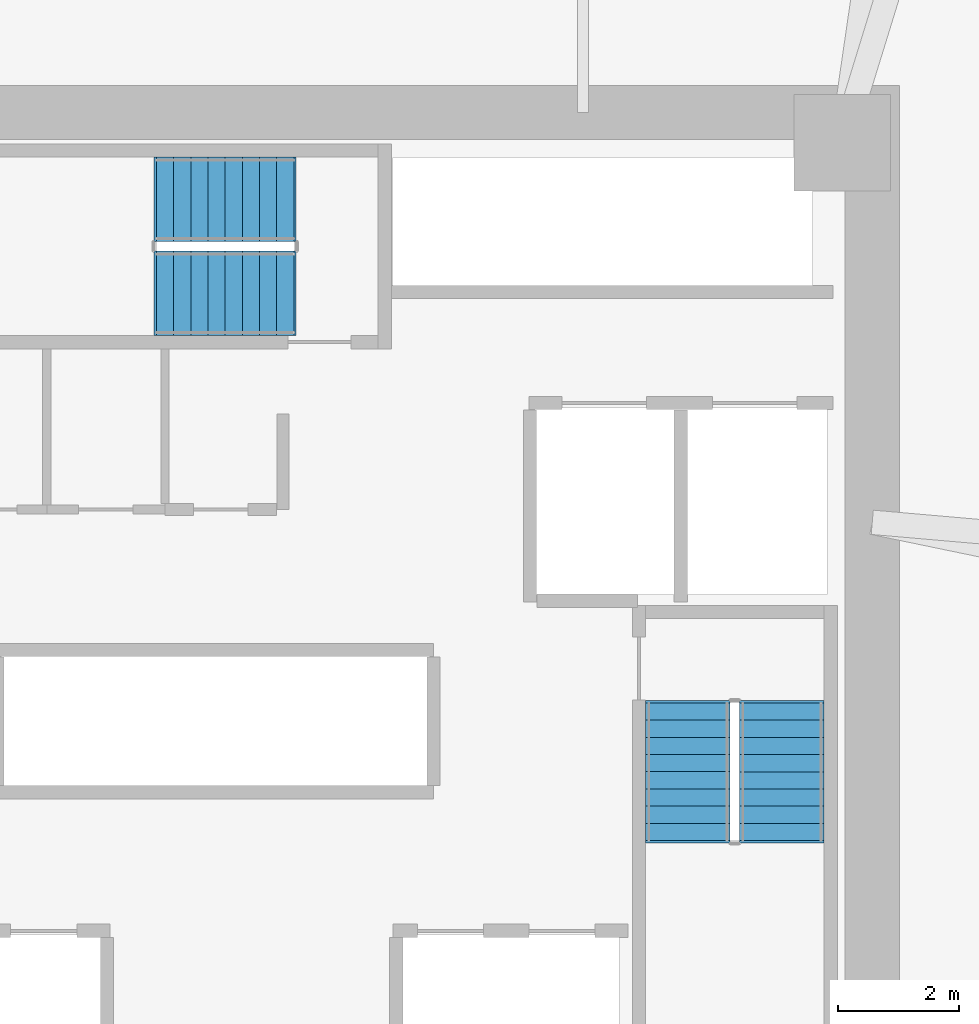
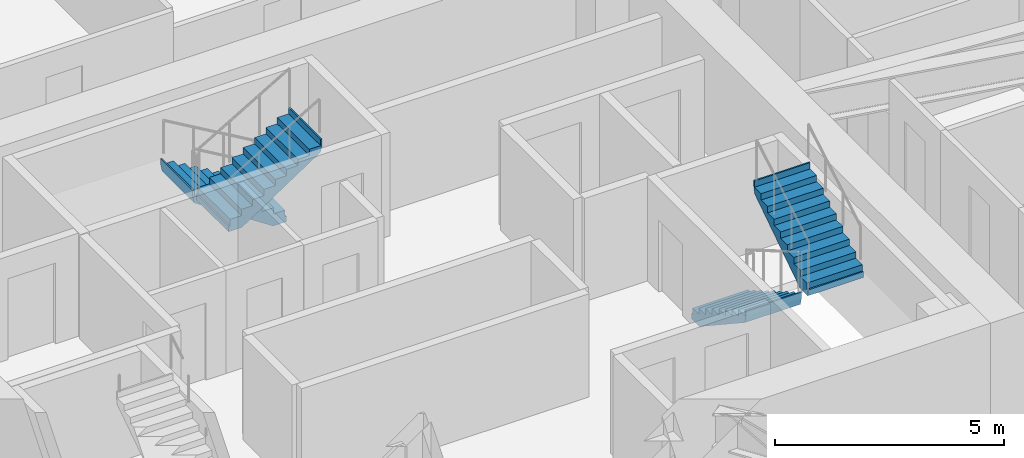
# One storey, part 17 of 18: 4 stair flights, 2 elements without a shape of their own.
"""IFC4 building model written with IfcOpenShell, lengths in metres."""

from ifc_helpers import new_model, si_unit, direction, frame, origin, place, context, subcontext, project, spatial, polyline, outline, extrude, material, type_object, element, aggregate, save


model = new_model("IFC4")

# Units and contexts
model_context = context("Model", 3, precision=1e-05, world=origin(), true_north=direction((0.0, 1.0)))
body_context = subcontext(model_context, "Body", "Model", "MODEL_VIEW")
ifc_project = project(units=[si_unit("LENGTHUNIT", "METRE"), si_unit("AREAUNIT", "SQUARE_METRE"), si_unit("VOLUMEUNIT", "CUBIC_METRE"), si_unit("PLANEANGLEUNIT", "RADIAN"), si_unit("MASSUNIT", "GRAM", prefix="KILO")], contexts=[model_context])

# Site, building, storey
site_placement = place(None, origin())
site = spatial("IfcSite", under=ifc_project, at=site_placement, CompositionType="ELEMENT")
building_placement = place(site_placement, origin())
building = spatial("IfcBuilding", under=site, at=building_placement, Name="Durnholm Broadcast Tower", CompositionType="ELEMENT")
storey_placement = place(building_placement, frame((0.0, 0.0, 78.300048828125)))
storey = spatial("IfcBuildingStorey", under=building, at=storey_placement, Name="L20", CompositionType="ELEMENT", Elevation=78.300048828125)

# Stair, stair flights
ifc_material = material(Name="Concrete C50/60", Category="concrete")
stair_type = type_object("IfcStairType", Name="STAIR-DL-18R1667", PredefinedType="HALF_TURN_STAIR", material=ifc_material)
stair_1_placement = place(storey_placement, origin())
stair_1 = element("IfcStair", 1, at=stair_1_placement, inside=storey, type_object=stair_type, Name="L20 ST-2", PredefinedType="HALF_TURN_STAIR")
stair_flight_type = type_object("IfcStairFlightType", Name="FLIGHT-DL-18R1667", PredefinedType="STRAIGHT", material=ifc_material)
stair_flight_1_placement = place(storey_placement, frame((7.239990234375, -1.5, 0.0), z_axis=(0.0, 0.0, 1.0), x_axis=(0.0, -1.0, 0.0)))
stair_flight_1 = element("IfcStairFlight", 2, at=stair_flight_1_placement, type_object=stair_flight_type, Name="ST-2 flight 1", NumberOfRisers=9, NumberOfTreads=8, PredefinedType="STRAIGHT", RiserHeight=0.166666667, TreadLength=0.285, context=body_context, shape_type="SweptSolid", body=[
    extrude(outline(polyline([(-0.0400390625, -0.14990234375), (-0.0400390625, 0.0), (0.0, 0.0), (0.0, 0.166748046875), (0.284912109375, 0.166748046875), (0.284912109375, 0.333251953125), (0.570068359375, 0.333251953125), (0.570068359375, 0.5), (0.85498046875, 0.5), (0.85498046875, 0.666748046875), (1.139892578125, 0.666748046875), (1.139892578125, 0.833251953125), (1.425048828125, 0.833251953125), (1.425048828125, 1.0), (1.7099609375, 1.0), (1.7099609375, 1.166748046875), (1.9951171875, 1.166748046875), (1.9951171875, 1.333251953125), (2.280029296875, 1.333251953125), (2.280029296875, 1.5), (2.320068359375, 1.5), (2.320068359375, 1.35009765625), (2.280029296875, 1.15966796875), (0.296875, -0.14990234375), (-0.0400390625, -0.14990234375)])), frame((0.0, 0.699951171875, 0.0), z_axis=(0.0, -1.0, 0.0), x_axis=(1.0, 0.0, 0.0)), (0.0, 0.0, 1.0), 1.39990234375),
])
stair_flight_2_placement = place(storey_placement, frame((8.800048828125, -3.780029296875, 1.5), z_axis=(0.0, 0.0, 1.0), x_axis=(0.0, 1.0, 0.0)))
stair_flight_2 = element("IfcStairFlight", 3, at=stair_flight_2_placement, type_object=stair_flight_type, Name="ST-2 flight 2", NumberOfRisers=9, NumberOfTreads=8, PredefinedType="STRAIGHT", RiserHeight=0.166666667, TreadLength=0.285, context=body_context, shape_type="SweptSolid", body=[
    extrude(outline(polyline([(-0.0400390625, -0.14990234375), (-0.0400390625, 0.0), (0.0, 0.0), (0.0, 0.166748046875), (0.284912109375, 0.166748046875), (0.284912109375, 0.333251953125), (0.570068359375, 0.333251953125), (0.570068359375, 0.5), (0.85498046875, 0.5), (0.85498046875, 0.666748046875), (1.139892578125, 0.666748046875), (1.139892578125, 0.833251953125), (1.425048828125, 0.833251953125), (1.425048828125, 1.0), (1.7099609375, 1.0), (1.7099609375, 1.166748046875), (1.9951171875, 1.166748046875), (1.9951171875, 1.333251953125), (2.280029296875, 1.333251953125), (2.280029296875, 1.5), (2.320068359375, 1.5), (2.320068359375, 1.35009765625), (2.280029296875, 1.15966796875), (0.296875, -0.14990234375), (-0.0400390625, -0.14990234375)])), frame((0.0, 0.699951171875, 0.0), z_axis=(0.0, -1.0, 0.0), x_axis=(1.0, 0.0, 0.0)), (0.0, 0.0, 1.0), 1.39990234375),
])
aggregate(stair_1, [stair_flight_1, stair_flight_2])

stair_2_placement = place(storey_placement, origin())
stair_2 = element("IfcStair", 4, at=stair_2_placement, inside=storey, type_object=stair_type, Name="L20 ST-3", PredefinedType="HALF_TURN_STAIR")
stair_flight_3_placement = place(storey_placement, frame((0.699951171875, 6.860107421875, 0.0), z_axis=(0.0, 0.0, 1.0), x_axis=(-1.0, 0.0, 0.0)))
stair_flight_3 = element("IfcStairFlight", 5, at=stair_flight_3_placement, type_object=stair_flight_type, Name="ST-3 flight 1", NumberOfRisers=9, NumberOfTreads=8, PredefinedType="STRAIGHT", RiserHeight=0.166666667, TreadLength=0.285, context=body_context, shape_type="SweptSolid", body=[
    extrude(outline(polyline([(-0.0400390625, -0.14990234375), (-0.0400390625, 0.0), (0.0, 0.0), (0.0, 0.166748046875), (0.284912109375, 0.166748046875), (0.284912109375, 0.333251953125), (0.570068359375, 0.333251953125), (0.570068359375, 0.5), (0.85498046875, 0.5), (0.85498046875, 0.666748046875), (1.139892578125, 0.666748046875), (1.139892578125, 0.833251953125), (1.425048828125, 0.833251953125), (1.425048828125, 1.0), (1.7099609375, 1.0), (1.7099609375, 1.166748046875), (1.9951171875, 1.166748046875), (1.9951171875, 1.333251953125), (2.280029296875, 1.333251953125), (2.280029296875, 1.5), (2.320068359375, 1.5), (2.320068359375, 1.35009765625), (2.280029296875, 1.15966796875), (0.296875, -0.14990234375), (-0.0400390625, -0.14990234375)])), frame((0.0, 0.699951171875, 0.0), z_axis=(0.0, -1.0, 0.0), x_axis=(1.0, 0.0, 0.0)), (0.0, 0.0, 1.0), 1.39990234375),
])
stair_flight_4_placement = place(storey_placement, frame((-1.580078125, 5.300048828125, 1.5), z_axis=(0.0, 0.0, 1.0), x_axis=(1.0, 0.0, 0.0)))
stair_flight_4 = element("IfcStairFlight", 6, at=stair_flight_4_placement, type_object=stair_flight_type, Name="ST-3 flight 2", NumberOfRisers=9, NumberOfTreads=8, PredefinedType="STRAIGHT", RiserHeight=0.166666667, TreadLength=0.285, context=body_context, shape_type="SweptSolid", body=[
    extrude(outline(polyline([(-0.0400390625, -0.14990234375), (-0.0400390625, 0.0), (0.0, 0.0), (0.0, 0.166748046875), (0.284912109375, 0.166748046875), (0.284912109375, 0.333251953125), (0.570068359375, 0.333251953125), (0.570068359375, 0.5), (0.85498046875, 0.5), (0.85498046875, 0.666748046875), (1.139892578125, 0.666748046875), (1.139892578125, 0.833251953125), (1.425048828125, 0.833251953125), (1.425048828125, 1.0), (1.7099609375, 1.0), (1.7099609375, 1.166748046875), (1.9951171875, 1.166748046875), (1.9951171875, 1.333251953125), (2.280029296875, 1.333251953125), (2.280029296875, 1.5), (2.320068359375, 1.5), (2.320068359375, 1.35009765625), (2.280029296875, 1.15966796875), (0.296875, -0.14990234375), (-0.0400390625, -0.14990234375)])), frame((0.0, 0.699951171875, 0.0), z_axis=(0.0, -1.0, 0.0), x_axis=(1.0, 0.0, 0.0)), (0.0, 0.0, 1.0), 1.39990234375),
])
aggregate(stair_2, [stair_flight_3, stair_flight_4])

save(model, "model.ifc")
